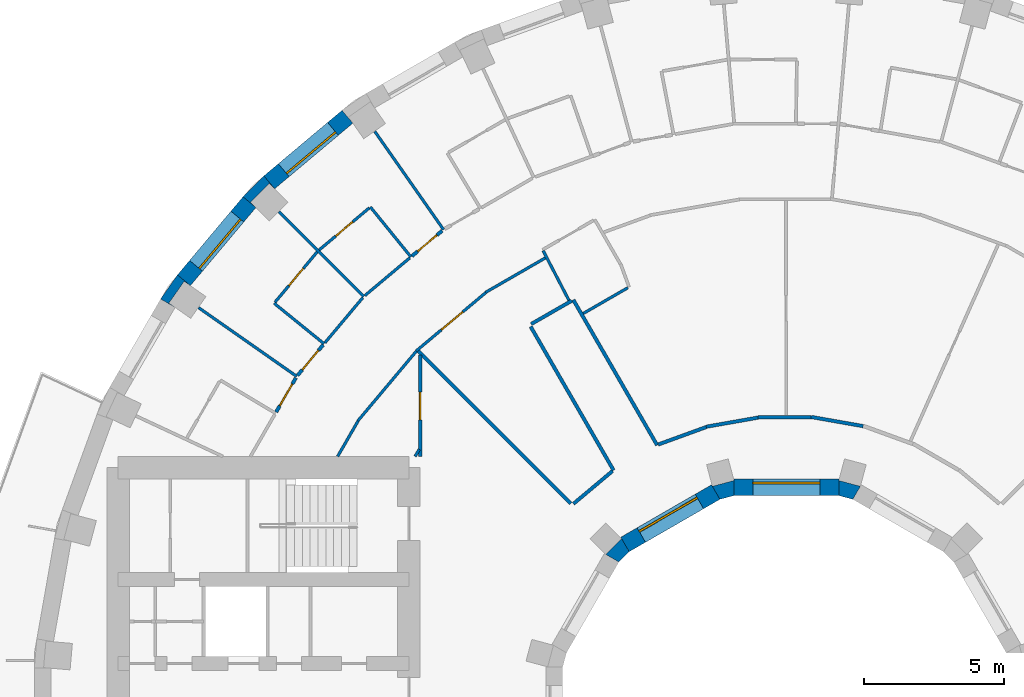
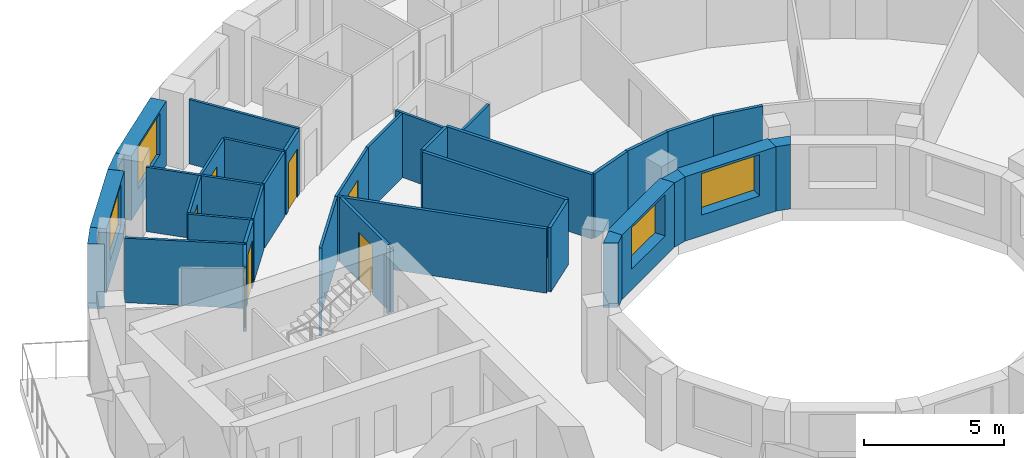
# One storey, part 8 of 12: 38 walls, 7 doors, 4 windows, 11 openings.
"""IFC4 building model written with IfcOpenShell, lengths in metres."""

from ifc_helpers import new_model, si_unit, direction, frame, frame_2d, origin, place, context, subcontext, project, spatial, polyline, rectangle, outline, extrude, material, layer, layer_set, type_object, element, fill, save


model = new_model("IFC4")

# Units and contexts
model_context = context("Model", 3, precision=1e-05, world=origin(), true_north=direction((0.0, 1.0)))
body_context = subcontext(model_context, "Body", "Model", "MODEL_VIEW")
ifc_project = project(units=[si_unit("LENGTHUNIT", "METRE"), si_unit("AREAUNIT", "SQUARE_METRE"), si_unit("VOLUMEUNIT", "CUBIC_METRE"), si_unit("PLANEANGLEUNIT", "RADIAN"), si_unit("MASSUNIT", "GRAM", prefix="KILO")], contexts=[model_context])

# Site, building, storey
site_placement = place(None, origin())
site = spatial("IfcSite", under=ifc_project, at=site_placement, CompositionType="ELEMENT")
building_placement = place(site_placement, origin())
building = spatial("IfcBuilding", under=site, at=building_placement, Name="Saqina Gate Tower", CompositionType="ELEMENT")
storey_placement = place(building_placement, frame((0.0, 0.0, 111.699951171875)))
storey = spatial("IfcBuildingStorey", under=building, at=storey_placement, Name="L31", CompositionType="ELEMENT", Elevation=111.699951171875)

# Walls
ifc_material_1 = material(Name="Brick masonry (buff)", Category="masonry")
wall_type_1 = type_object("IfcWallType", Name="BRICK PIER COPING BUFF", PredefinedType="SOLIDWALL", material=ifc_material_1)
wall_1_placement = place(storey_placement, origin())
element("IfcWall", 1, at=wall_1_placement, inside=storey, type_object=wall_type_1, Name="Pier cap L31 column 14", PredefinedType="SOLIDWALL", context=body_context, shape_type="SweptSolid", body=[
    extrude(outline(polyline([(-18.686279296875, 19.43212890625), (-19.43212890625, 18.686279296875), (-18.972412109375, 18.30078125), (-19.16259765625, 18.49072265625), (-18.49072265625, 19.16259765625), (-18.30078125, 18.972412109375), (-18.686279296875, 19.43212890625)])), origin(), (0.0, 0.0, 1.0), 2.800048828125),
])
wall_2_placement = place(storey_placement, origin())
element("IfcWall", 2, at=wall_2_placement, inside=storey, type_object=wall_type_1, Name="Pier cap L31 column 15", PredefinedType="SOLIDWALL", context=body_context, shape_type="SweptSolid", body=[
    extrude(outline(polyline([(-22.3818359375, 15.0283203125), (-21.862060546875, 14.728271484375), (-22.08251953125, 14.88232421875), (-21.53759765625, 15.66064453125), (-21.317138671875, 15.50634765625), (-21.77685546875, 15.89208984375), (-22.3818359375, 15.0283203125)])), origin(), (0.0, 0.0, 1.0), 2.800048828125),
])

# Wall, opening, window
ifc_material_2 = material(Name="Brick masonry (buff)", Category="masonry")
ifc_layer_1 = layer(ifc_material_2, 0.60009765625)
ifc_layer_set_1 = layer_set([ifc_layer_1], Name="FW-BRICK-BUFF")
wall_type_2 = type_object("IfcWallType", Name="FW-BRICK-BUFF", PredefinedType="SOLIDWALL", material=ifc_layer_set_1)
wall_3_placement = place(storey_placement, frame((-15.69921875, 21.547119140625, 0.0), z_axis=(0.0, 0.0, 1.0), x_axis=(-0.766055462616, -0.642774476932, 0.0)))
wall_3 = element("IfcWall", 3, at=wall_3_placement, inside=storey, type_object=wall_type_2, Name="Facade wall L31 facet 13", PredefinedType="SOLIDWALL", context=body_context, shape_type="SweptSolid", body=[
    extrude(rectangle(XDim=3.647705078125, YDim=0.60009765625, at=frame_2d((1.82373046875, 0.0))), origin(), (0.0, 0.0, 1.0), 2.800048828125),
])
opening_1_placement = place(wall_3_placement, frame((0.673828125, 0.0, 0.89990234375)))
opening_1 = element("IfcOpeningElement", 4, at=opening_1_placement, cuts=wall_3, Name="Opening G09-W11", PredefinedType="OPENING", context=body_context, shape_type="SweptSolid", body=[
    extrude(rectangle(XDim=2.300048828125, YDim=1.800048828125, at=frame_2d((1.14990234375, 0.89990234375))), frame((0.0, 0.31201171875, 0.0), z_axis=(0.0, -1.0, 0.0), x_axis=(1.0, 0.0, 0.0)), (0.0, 0.0, 1.0), 0.6240234375),
])
ifc_material_3 = material(Name="Aluminium glazing", Category="aluminium")
window_type_1 = type_object("IfcWindowType", Name="WN-B", PartitioningType="SINGLE_PANEL", PredefinedType="WINDOW", material=ifc_material_3)
window_1_placement = place(opening_1_placement, origin())
window_1 = element("IfcWindow", 5, at=window_1_placement, inside=storey, type_object=window_type_1, Name="Window L31 facet 13", OverallHeight=1.800048828125, OverallWidth=2.300048828125, PartitioningType="SINGLE_PANEL", PredefinedType="WINDOW", context=body_context, shape_type="SweptSolid", body=[
    extrude(rectangle(XDim=2.300048828125, YDim=1.800048828125, at=frame_2d((1.14990234375, 0.89990234375))), frame((0.0, 0.179931640625, 0.0), z_axis=(0.0, -1.0, 0.0), x_axis=(1.0, 0.0, 0.0)), (0.0, 0.0, 1.0), 0.06005859375),
])
fill(opening_1, window_1)

wall_4_placement = place(storey_placement, frame((-19.202392578125, 18.49365234375, 0.0), z_axis=(0.0, 0.0, 1.0), x_axis=(-0.642774476932, -0.766055462616, 0.0)))
wall_4 = element("IfcWall", 6, at=wall_4_placement, inside=storey, type_object=wall_type_2, Name="Facade wall L31 facet 14", PredefinedType="SOLIDWALL", context=body_context, shape_type="SweptSolid", body=[
    extrude(rectangle(XDim=3.647705078125, YDim=0.60009765625, at=frame_2d((1.82373046875, 0.0))), origin(), (0.0, 0.0, 1.0), 2.800048828125),
])
opening_2_placement = place(wall_4_placement, frame((0.673828125, 0.0, 0.89990234375)))
opening_2 = element("IfcOpeningElement", 7, at=opening_2_placement, cuts=wall_4, Name="Opening G09-W12", PredefinedType="OPENING", context=body_context, shape_type="SweptSolid", body=[
    extrude(rectangle(XDim=2.300048828125, YDim=1.800048828125, at=frame_2d((1.14990234375, 0.89990234375))), frame((0.0, 0.31201171875, 0.0), z_axis=(0.0, -1.0, 0.0), x_axis=(1.0, 0.0, 0.0)), (0.0, 0.0, 1.0), 0.6240234375),
])
window_2_placement = place(opening_2_placement, origin())
window_2 = element("IfcWindow", 8, at=window_2_placement, inside=storey, type_object=window_type_1, Name="Window L31 facet 14", OverallHeight=1.800048828125, OverallWidth=2.300048828125, PartitioningType="SINGLE_PANEL", PredefinedType="WINDOW", context=body_context, shape_type="SweptSolid", body=[
    extrude(rectangle(XDim=2.300048828125, YDim=1.800048828125, at=frame_2d((1.14990234375, 0.89990234375))), frame((0.0, 0.179931640625, 0.0), z_axis=(0.0, -1.0, 0.0), x_axis=(1.0, 0.0, 0.0)), (0.0, 0.0, 1.0), 0.06005859375),
])
fill(opening_2, window_2)

ifc_material_4 = material(Name="Glazed ceramic tile", Category="ceramic")
ifc_layer_2 = layer(ifc_material_4, 0.60009765625)
ifc_layer_set_2 = layer_set([ifc_layer_2], Name="IW-TILE")
wall_type_3 = type_object("IfcWallType", Name="IW-TILE", PredefinedType="SOLIDWALL", material=ifc_layer_set_2)
wall_5_placement = place(storey_placement, frame((1.873779296875, 8.300048828125, 0.0), z_axis=(0.0, 0.0, 1.0), x_axis=(-1.0, 0.0, 0.0)))
wall_5 = element("IfcWall", 9, at=wall_5_placement, inside=storey, type_object=wall_type_3, Name="Well wall L31 facet 3", PredefinedType="SOLIDWALL", context=body_context, shape_type="SweptSolid", body=[
    extrude(rectangle(XDim=3.74755859375, YDim=0.60009765625, at=frame_2d((1.873779296875, 0.0))), origin(), (0.0, 0.0, 1.0), 2.800048828125),
])
opening_3_placement = place(wall_5_placement, frame((0.673583984375, 0.0, 0.89990234375)))
opening_3 = element("IfcOpeningElement", 10, at=opening_3_placement, cuts=wall_5, Name="Opening G09-W28", PredefinedType="OPENING", context=body_context, shape_type="SweptSolid", body=[
    extrude(rectangle(XDim=2.39990234375, YDim=1.800048828125, at=frame_2d((1.199951171875, 0.89990234375))), frame((0.0, 0.31201171875, 0.0), z_axis=(0.0, -1.0, 0.0), x_axis=(1.0, 0.0, 0.0)), (0.0, 0.0, 1.0), 0.6240234375),
])
ifc_material_5 = material(Name="Aluminium glazing", Category="aluminium")
window_type_2 = type_object("IfcWindowType", Name="WN-W", PartitioningType="SINGLE_PANEL", PredefinedType="WINDOW", material=ifc_material_5)
window_3_placement = place(opening_3_placement, origin())
window_3 = element("IfcWindow", 11, at=window_3_placement, inside=storey, type_object=window_type_2, Name="Well window L31 facet 3", OverallHeight=1.800048828125, OverallWidth=2.39990234375, PartitioningType="SINGLE_PANEL", PredefinedType="WINDOW", context=body_context, shape_type="SweptSolid", body=[
    extrude(rectangle(XDim=2.39990234375, YDim=1.800048828125, at=frame_2d((1.199951171875, 0.89990234375))), frame((0.0, -0.119873046875, 0.0), z_axis=(0.0, -1.0, 0.0), x_axis=(1.0, 0.0, 0.0)), (0.0, 0.0, 1.0), 0.06005859375),
])
fill(opening_3, window_3)

wall_6_placement = place(storey_placement, frame((-2.52734375, 8.124755859375, 0.0), z_axis=(0.0, 0.0, 1.0), x_axis=(-0.86604563398, -0.499964958637, 0.0)))
wall_6 = element("IfcWall", 12, at=wall_6_placement, inside=storey, type_object=wall_type_3, Name="Well wall L31 facet 4", PredefinedType="SOLIDWALL", context=body_context, shape_type="SweptSolid", body=[
    extrude(rectangle(XDim=3.747314453125, YDim=0.60009765625, at=frame_2d((1.87353515625, 0.0))), origin(), (0.0, 0.0, 1.0), 2.800048828125),
])
opening_4_placement = place(wall_6_placement, frame((0.673583984375, 0.0, 0.89990234375)))
opening_4 = element("IfcOpeningElement", 13, at=opening_4_placement, cuts=wall_6, Name="Opening G09-W29", PredefinedType="OPENING", context=body_context, shape_type="SweptSolid", body=[
    extrude(rectangle(XDim=2.39990234375, YDim=1.800048828125, at=frame_2d((1.199951171875, 0.89990234375))), frame((0.0, 0.31201171875, 0.0), z_axis=(0.0, -1.0, 0.0), x_axis=(1.0, 0.0, 0.0)), (0.0, 0.0, 1.0), 0.6240234375),
])
window_4_placement = place(opening_4_placement, origin())
window_4 = element("IfcWindow", 14, at=window_4_placement, inside=storey, type_object=window_type_2, Name="Well window L31 facet 4", OverallHeight=1.800048828125, OverallWidth=2.39990234375, PartitioningType="SINGLE_PANEL", PredefinedType="WINDOW", context=body_context, shape_type="SweptSolid", body=[
    extrude(rectangle(XDim=2.39990234375, YDim=1.800048828125, at=frame_2d((1.199951171875, 0.89990234375))), frame((0.0, -0.119873046875, 0.0), z_axis=(0.0, -1.0, 0.0), x_axis=(1.0, 0.0, 0.0)), (0.0, 0.0, 1.0), 0.06005859375),
])
fill(opening_4, window_4)

# Walls
ifc_material_6 = material(Name="Gypsum board on steel studs, 100 mm", Category="steel")
ifc_layer_3 = layer(ifc_material_6, 0.10009765625)
ifc_layer_set_3 = layer_set([ifc_layer_3], Name="PARTITION 100")
wall_type_4 = type_object("IfcWallType", Name="PARTITION 100", PredefinedType="PARTITIONING", material=ifc_layer_set_3)
wall_7_placement = place(storey_placement, frame((-8.69873046875, 16.755859375, 0.0), z_axis=(0.0, 0.0, 1.0), x_axis=(0.461029785453, -0.887384661195, 0.0)))
element("IfcWall", 15, at=wall_7_placement, inside=storey, type_object=wall_type_4, Name="PARTITION PW3-10", PredefinedType="PARTITIONING", context=body_context, shape_type="SweptSolid", body=[
    extrude(rectangle(XDim=1.99951171875, YDim=0.10009765625, at=frame_2d((0.999755859375, 0.0))), origin(), (0.0, 0.0, 1.0), 2.800048828125),
])
wall_8_placement = place(storey_placement, frame((-14.720703125, 21.023681640625, 0.0), z_axis=(0.0, 0.0, 1.0), x_axis=(0.573546429028, -0.819173054824, 0.0)))
element("IfcWall", 16, at=wall_8_placement, inside=storey, type_object=wall_type_4, Name="PARTITION PW3-16", PredefinedType="PARTITIONING", context=body_context, shape_type="SweptSolid", body=[
    extrude(rectangle(XDim=4.286865234375, YDim=0.10009765625, at=frame_2d((2.1435546875, 0.0))), origin(), (0.0, 0.0, 1.0), 2.800048828125),
])
wall_9_placement = place(storey_placement, frame((-14.8779296875, 18.320068359375, 0.0), z_axis=(0.0, 0.0, 1.0), x_axis=(0.630256971768, -0.776386597989, 0.0)))
element("IfcWall", 17, at=wall_9_placement, inside=storey, type_object=wall_type_4, Name="PARTITION PW3-18", PredefinedType="PARTITIONING", context=body_context, shape_type="SweptSolid", body=[
    extrude(rectangle(XDim=2.300537109375, YDim=0.10009765625, at=frame_2d((1.150390625, 0.0))), origin(), (0.0, 0.0, 1.0), 2.800048828125),
])
wall_10_placement = place(storey_placement, frame((-18.14794921875, 18.14794921875, 0.0), z_axis=(0.0, 0.0, 1.0), x_axis=(0.707106781187, -0.707106781187, 0.0)))
element("IfcWall", 18, at=wall_10_placement, inside=storey, type_object=wall_type_4, Name="PARTITION PW3-23", PredefinedType="PARTITIONING", context=body_context, shape_type="SweptSolid", body=[
    extrude(rectangle(XDim=4.286376953125, YDim=0.10009765625, at=frame_2d((2.14306640625, 0.0))), origin(), (0.0, 0.0, 1.0), 2.800048828125),
])
wall_11_placement = place(storey_placement, frame((-18.320068359375, 14.8779296875, 0.0), z_axis=(0.0, 0.0, 1.0), x_axis=(0.776386597989, -0.630256971768, 0.0)))
element("IfcWall", 19, at=wall_11_placement, inside=storey, type_object=wall_type_4, Name="PARTITION PW3-28", PredefinedType="PARTITIONING", context=body_context, shape_type="SweptSolid", body=[
    extrude(rectangle(XDim=2.300537109375, YDim=0.10009765625, at=frame_2d((1.150390625, 0.0))), origin(), (0.0, 0.0, 1.0), 2.800048828125),
])
wall_12_placement = place(storey_placement, frame((-21.023681640625, 14.720703125, 0.0), z_axis=(0.0, 0.0, 1.0), x_axis=(0.819173054824, -0.573546429028, 0.0)))
element("IfcWall", 20, at=wall_12_placement, inside=storey, type_object=wall_type_4, Name="PARTITION PW3-29", PredefinedType="PARTITIONING", context=body_context, shape_type="SweptSolid", body=[
    extrude(rectangle(XDim=4.286865234375, YDim=0.10009765625, at=frame_2d((2.1435546875, 0.0))), origin(), (0.0, 0.0, 1.0), 2.800048828125),
])
wall_13_placement = place(storey_placement, frame((-7.2666015625, 14.510498046875, 0.0), z_axis=(0.0, 0.0, 1.0), x_axis=(0.865945322787, 0.500138678712, 0.0)))
element("IfcWall", 21, at=wall_13_placement, inside=storey, type_object=wall_type_4, Name="PARTITION PW3-67", PredefinedType="PARTITIONING", context=body_context, shape_type="SweptSolid", body=[
    extrude(rectangle(XDim=1.8447265625, YDim=0.10009765625, at=frame_2d((0.92236328125, 0.0))), origin(), (0.0, 0.0, 1.0), 2.800048828125),
])
wall_14_placement = place(storey_placement, frame((-10.7529296875, 15.2685546875, 0.0), z_axis=(0.0, 0.0, 1.0), x_axis=(0.866079862983, 0.499905662036, 0.0)))
element("IfcWall", 22, at=wall_14_placement, inside=storey, type_object=wall_type_4, Name="PARTITION PW3-68", PredefinedType="PARTITIONING", context=body_context, shape_type="SweptSolid", body=[
    extrude(rectangle(XDim=2.4609375, YDim=0.10009765625, at=frame_2d((1.23046875, 0.0))), origin(), (0.0, 0.0, 1.0), 2.800048828125),
])

# Wall, opening, door
wall_15_placement = place(storey_placement, frame((-13.240966796875, 13.16943359375, 0.0), z_axis=(0.0, 0.0, 1.0), x_axis=(0.766028328168, 0.642806814248, 0.0)))
wall_15 = element("IfcWall", 23, at=wall_15_placement, inside=storey, type_object=wall_type_4, Name="PARTITION PW3-74", PredefinedType="PARTITIONING", context=body_context, shape_type="SweptSolid", body=[
    extrude(rectangle(XDim=3.25537109375, YDim=0.10009765625, at=frame_2d((1.627685546875, 0.0))), origin(), (0.0, 0.0, 1.0), 2.800048828125),
])
opening_5_placement = place(wall_15_placement, frame((1.177978515625, 0.0, 0.0)))
opening_5 = element("IfcOpeningElement", 24, at=opening_5_placement, cuts=wall_15, Name="Opening G09-D22", PredefinedType="OPENING", context=body_context, shape_type="SweptSolid", body=[
    extrude(rectangle(XDim=1.0, YDim=2.10009765625, at=frame_2d((0.5, 1.050048828125))), frame((0.0, 0.06201171875, 0.0), z_axis=(0.0, -1.0, 0.0), x_axis=(1.0, 0.0, 0.0)), (0.0, 0.0, 1.0), 0.1240234375),
])
ifc_material_7 = material(Name="Timber door leaf, 1000 mm", Category="wood")
door_type_1 = type_object("IfcDoorType", Name="DOOR 1000 TIMBER", OperationType="SINGLE_SWING_LEFT", PredefinedType="DOOR", material=ifc_material_7)
door_1_placement = place(opening_5_placement, origin())
door_1 = element("IfcDoor", 25, at=door_1_placement, inside=storey, type_object=door_type_1, Name="DOOR G09-D22", OperationType="SINGLE_SWING_RIGHT", OverallHeight=2.10009765625, OverallWidth=1.0, PredefinedType="DOOR", context=body_context, shape_type="SweptSolid", body=[
    extrude(rectangle(XDim=1.0, YDim=2.10009765625, at=frame_2d((0.5, 1.050048828125))), frame((0.0, 0.02490234375, 0.0), z_axis=(0.0, -1.0, 0.0), x_axis=(1.0, 0.0, 0.0)), (0.0, 0.0, 1.0), 0.050048828125),
])
fill(opening_5, door_1)

# Wall
wall_16_placement = place(storey_placement, frame((-15.07763671875, 15.14990234375, 0.0), z_axis=(0.0, 0.0, 1.0), x_axis=(0.766047733122, 0.642783688793, 0.0)))
element("IfcWall", 26, at=wall_16_placement, inside=storey, type_object=wall_type_4, Name="PARTITION PW3-75", PredefinedType="PARTITIONING", context=body_context, shape_type="SweptSolid", body=[
    extrude(rectangle(XDim=2.103515625, YDim=0.10009765625, at=frame_2d((1.0517578125, 0.0))), origin(), (0.0, 0.0, 1.0), 2.800048828125),
])

# Wall, opening, door
wall_17_placement = place(storey_placement, frame((-16.711669921875, 16.7822265625, 0.0), z_axis=(0.0, 0.0, 1.0), x_axis=(0.766236222747, 0.642558986359, 0.0)))
wall_17 = element("IfcWall", 27, at=wall_17_placement, inside=storey, type_object=wall_type_4, Name="PARTITION PW3-76", PredefinedType="PARTITIONING", context=body_context, shape_type="SweptSolid", body=[
    extrude(rectangle(XDim=2.34326171875, YDim=0.10009765625, at=frame_2d((1.171630859375, 0.0))), origin(), (0.0, 0.0, 1.0), 2.800048828125),
])
opening_6_placement = place(wall_17_placement, frame((0.771484375, 0.0, 0.0)))
opening_6 = element("IfcOpeningElement", 28, at=opening_6_placement, cuts=wall_17, Name="Opening G09-D23", PredefinedType="OPENING", context=body_context, shape_type="SweptSolid", body=[
    extrude(rectangle(XDim=0.800048828125, YDim=2.10009765625, at=frame_2d((0.39990234375, 1.050048828125))), frame((0.0, 0.06201171875, 0.0), z_axis=(0.0, -1.0, 0.0), x_axis=(1.0, 0.0, 0.0)), (0.0, 0.0, 1.0), 0.1240234375),
])
ifc_material_8 = material(Name="Timber door leaf, 800 mm", Category="wood")
door_type_2 = type_object("IfcDoorType", Name="DOOR 800 TIMBER", OperationType="SINGLE_SWING_LEFT", PredefinedType="DOOR", material=ifc_material_8)
door_2_placement = place(opening_6_placement, origin())
door_2 = element("IfcDoor", 29, at=door_2_placement, inside=storey, type_object=door_type_2, Name="DOOR G09-D23", OperationType="SINGLE_SWING_LEFT", OverallHeight=2.10009765625, OverallWidth=0.800048828125, PredefinedType="DOOR", context=body_context, shape_type="SweptSolid", body=[
    extrude(rectangle(XDim=0.800048828125, YDim=2.10009765625, at=frame_2d((0.39990234375, 1.050048828125))), frame((0.0, 0.02490234375, 0.0), z_axis=(0.0, -1.0, 0.0), x_axis=(1.0, 0.0, 0.0)), (0.0, 0.0, 1.0), 0.050048828125),
])
fill(opening_6, door_2)

# Walls
wall_18_placement = place(storey_placement, frame((-15.32666015625, 10.670166015625, 0.0), z_axis=(0.0, 0.0, 1.0), x_axis=(0.642806814248, 0.766028328168, 0.0)))
element("IfcWall", 30, at=wall_18_placement, inside=storey, type_object=wall_type_4, Name="PARTITION PW3-80", PredefinedType="PARTITIONING", context=body_context, shape_type="SweptSolid", body=[
    extrude(rectangle(XDim=3.25537109375, YDim=0.10009765625, at=frame_2d((1.627685546875, 0.0))), origin(), (0.0, 0.0, 1.0), 2.800048828125),
])
wall_19_placement = place(storey_placement, frame((-16.501953125, 13.46630859375, 0.0), z_axis=(0.0, 0.0, 1.0), x_axis=(0.642783688793, 0.766047733122, 0.0)))
element("IfcWall", 31, at=wall_19_placement, inside=storey, type_object=wall_type_4, Name="PARTITION PW3-81", PredefinedType="PARTITIONING", context=body_context, shape_type="SweptSolid", body=[
    extrude(rectangle(XDim=2.103515625, YDim=0.10009765625, at=frame_2d((1.0517578125, 0.0))), origin(), (0.0, 0.0, 1.0), 2.800048828125),
])

# Wall, opening, door
wall_20_placement = place(storey_placement, frame((-18.287841796875, 14.916259765625, 0.0), z_axis=(0.0, 0.0, 1.0), x_axis=(0.642558986359, 0.766236222747, 0.0)))
wall_20 = element("IfcWall", 32, at=wall_20_placement, inside=storey, type_object=wall_type_4, Name="PARTITION PW3-82", PredefinedType="PARTITIONING", context=body_context, shape_type="SweptSolid", body=[
    extrude(rectangle(XDim=2.34326171875, YDim=0.10009765625, at=frame_2d((1.171630859375, 0.0))), origin(), (0.0, 0.0, 1.0), 2.800048828125),
])
opening_7_placement = place(wall_20_placement, frame((0.771484375, 0.0, 0.0)))
opening_7 = element("IfcOpeningElement", 33, at=opening_7_placement, cuts=wall_20, Name="Opening G09-D24", PredefinedType="OPENING", context=body_context, shape_type="SweptSolid", body=[
    extrude(rectangle(XDim=0.800048828125, YDim=2.10009765625, at=frame_2d((0.39990234375, 1.050048828125))), frame((0.0, 0.06201171875, 0.0), z_axis=(0.0, -1.0, 0.0), x_axis=(1.0, 0.0, 0.0)), (0.0, 0.0, 1.0), 0.1240234375),
])
door_3_placement = place(opening_7_placement, origin())
door_3 = element("IfcDoor", 34, at=door_3_placement, inside=storey, type_object=door_type_2, Name="DOOR G09-D24", OperationType="SINGLE_SWING_LEFT", OverallHeight=2.10009765625, OverallWidth=0.800048828125, PredefinedType="DOOR", context=body_context, shape_type="SweptSolid", body=[
    extrude(rectangle(XDim=0.800048828125, YDim=2.10009765625, at=frame_2d((0.39990234375, 1.050048828125))), frame((0.0, 0.02490234375, 0.0), z_axis=(0.0, -1.0, 0.0), x_axis=(1.0, 0.0, 0.0)), (0.0, 0.0, 1.0), 0.050048828125),
])
fill(opening_7, door_3)

# Walls
wall_21_placement = place(storey_placement, frame((-16.049072265625, 9.39990234375, 0.0), z_axis=(0.0, 0.0, 1.0), x_axis=(0.499553700297, 0.866282921752, 0.0)))
element("IfcWall", 35, at=wall_21_placement, inside=storey, type_object=wall_type_4, Name="PARTITION PW3-88", PredefinedType="PARTITIONING", context=body_context, shape_type="SweptSolid", body=[
    extrude(rectangle(XDim=1.461181640625, YDim=0.10009765625, at=frame_2d((0.73046875, 0.0))), origin(), (0.0, 0.0, 1.0), 2.800048828125),
])
wall_22_placement = place(storey_placement, frame((-13.278076171875, 9.40087890625, 0.0), z_axis=(0.0, 0.0, 1.0), x_axis=(0.49953088146, 0.866296080141, 0.0)))
element("IfcWall", 36, at=wall_22_placement, inside=storey, type_object=wall_type_4, Name="PARTITION PW3-91", PredefinedType="PARTITIONING", context=body_context, shape_type="SweptSolid", body=[
    extrude(rectangle(XDim=0.294189453125, YDim=0.10009765625, at=frame_2d((0.14697265625, 0.0))), origin(), (0.0, 0.0, 1.0), 2.800048828125),
])
ifc_material_9 = material(Name="Gypsum board on steel studs, 125 mm, fire rated", Category="steel")
ifc_layer_4 = layer(ifc_material_9, 0.125)
ifc_layer_set_4 = layer_set([ifc_layer_4], Name="PARTITION EI 30 125")
wall_type_5 = type_object("IfcWallType", Name="PARTITION EI 30 125", PredefinedType="PARTITIONING", material=ifc_layer_set_4)
wall_23_placement = place(storey_placement, frame((-9.146728515625, 14.043212890625, 0.0), z_axis=(0.0, 0.0, 1.0), x_axis=(0.499891007886, -0.866088321267, 0.0)))
element("IfcWall", 37, at=wall_23_placement, inside=storey, type_object=wall_type_5, Name="PARTITION PW1-01", PredefinedType="PARTITIONING", context=body_context, shape_type="SweptSolid", body=[
    extrude(rectangle(XDim=5.934814453125, YDim=0.125, at=frame_2d((2.96728515625, 0.0))), origin(), (0.0, 0.0, 1.0), 2.800048828125),
])
wall_24_placement = place(storey_placement, frame((-7.62109375, 14.9990234375, 0.0), z_axis=(0.0, 0.0, 1.0), x_axis=(0.499745940409, -0.866172035478, 0.0)))
element("IfcWall", 38, at=wall_24_placement, inside=storey, type_object=wall_type_5, Name="PARTITION PW1-02", PredefinedType="PARTITIONING", context=body_context, shape_type="SweptSolid", body=[
    extrude(rectangle(XDim=5.9990234375, YDim=0.125, at=frame_2d((2.99951171875, 0.0))), origin(), (0.0, 0.0, 1.0), 2.800048828125),
])
wall_25_placement = place(storey_placement, frame((-13.16650390625, 13.16650390625, 0.0), z_axis=(0.0, 0.0, 1.0), x_axis=(0.707106781187, -0.707106781187, 0.0)))
element("IfcWall", 39, at=wall_25_placement, inside=storey, type_object=wall_type_5, Name="PARTITION PW1-06", PredefinedType="PARTITIONING", context=body_context, shape_type="SweptSolid", body=[
    extrude(rectangle(XDim=7.71630859375, YDim=0.125, at=frame_2d((3.858154296875, 0.0))), origin(), (0.0, 0.0, 1.0), 2.800048828125),
])
wall_26_placement = place(storey_placement, frame((0.882568359375, 10.81103515625, 0.0), z_axis=(0.0, 0.0, 1.0), x_axis=(0.984822536066, -0.173564317922, 0.0)))
element("IfcWall", 40, at=wall_26_placement, inside=storey, type_object=wall_type_5, Name="PARTITION PW1-21", PredefinedType="PARTITIONING", context=body_context, shape_type="SweptSolid", body=[
    extrude(rectangle(XDim=1.890625, YDim=0.125, at=frame_2d((0.9453125, 0.0))), origin(), (0.0, 0.0, 1.0), 2.800048828125),
])
wall_27_placement = place(storey_placement, frame((-1.008544921875, 10.800048828125, 0.0), z_axis=(0.0, 0.0, 1.0), x_axis=(1.0, 0.0, 0.0)))
element("IfcWall", 41, at=wall_27_placement, inside=storey, type_object=wall_type_5, Name="PARTITION PW1-25", PredefinedType="PARTITIONING", context=body_context, shape_type="SweptSolid", body=[
    extrude(rectangle(XDim=1.89111328125, YDim=0.125, at=frame_2d((0.945556640625, 0.0))), origin(), (0.0, 0.0, 1.0), 2.800048828125),
])
wall_28_placement = place(storey_placement, frame((-2.8681640625, 10.4609375, 0.0), z_axis=(0.0, 0.0, 1.0), x_axis=(0.984818645033, 0.173586394613, 0.0)))
element("IfcWall", 42, at=wall_28_placement, inside=storey, type_object=wall_type_5, Name="PARTITION PW1-30", PredefinedType="PARTITIONING", context=body_context, shape_type="SweptSolid", body=[
    extrude(rectangle(XDim=1.890380859375, YDim=0.125, at=frame_2d((0.9453125, 0.0))), origin(), (0.0, 0.0, 1.0), 2.800048828125),
])
wall_29_placement = place(storey_placement, frame((-4.58203125, 9.825927734375, 0.0), z_axis=(0.0, 0.0, 1.0), x_axis=(0.939758316357, 0.341839592261, 0.0)))
element("IfcWall", 43, at=wall_29_placement, inside=storey, type_object=wall_type_5, Name="PARTITION PW1-32", PredefinedType="PARTITIONING", context=body_context, shape_type="SweptSolid", body=[
    extrude(rectangle(XDim=1.82763671875, YDim=0.125, at=frame_2d((0.913818359375, 0.0))), origin(), (0.0, 0.0, 1.0), 2.800048828125),
])
wall_30_placement = place(storey_placement, frame((-9.126708984375, 14.133544921875, 0.0), z_axis=(0.0, 0.0, 1.0), x_axis=(0.866992941954, 0.498320417604, 0.0)))
element("IfcWall", 44, at=wall_30_placement, inside=storey, type_object=wall_type_5, Name="PARTITION PW1-34", PredefinedType="PARTITIONING", context=body_context, shape_type="SweptSolid", body=[
    extrude(rectangle(XDim=1.674072265625, YDim=0.125, at=frame_2d((0.8369140625, 0.0))), origin(), (0.0, 0.0, 1.0), 2.800048828125),
])
wall_31_placement = place(storey_placement, frame((-7.6171875, 7.7041015625, 0.0), z_axis=(0.0, 0.0, 1.0), x_axis=(0.7660388271, 0.642794302538, 0.0)))
element("IfcWall", 45, at=wall_31_placement, inside=storey, type_object=wall_type_5, Name="PARTITION PW1-40", PredefinedType="PARTITIONING", context=body_context, shape_type="SweptSolid", body=[
    extrude(rectangle(XDim=1.828369140625, YDim=0.125, at=frame_2d((0.9140625, 0.0))), origin(), (0.0, 0.0, 1.0), 2.800048828125),
])

# Wall, opening, door
wall_32_placement = place(storey_placement, frame((-13.3896484375, 16.566162109375, 0.0), z_axis=(0.0, 0.0, 1.0), x_axis=(0.766158527395, 0.642651624833, 0.0)))
wall_32 = element("IfcWall", 46, at=wall_32_placement, inside=storey, type_object=wall_type_5, Name="PARTITION PW1-41", PredefinedType="PARTITIONING", context=body_context, shape_type="SweptSolid", body=[
    extrude(rectangle(XDim=1.409423828125, YDim=0.125, at=frame_2d((0.70458984375, 0.0))), origin(), (0.0, 0.0, 1.0), 2.800048828125),
])
opening_8_placement = place(wall_32_placement, frame((0.260986328125, 0.0, 0.0)))
opening_8 = element("IfcOpeningElement", 47, at=opening_8_placement, cuts=wall_32, Name="Opening G09-D21", PredefinedType="OPENING", context=body_context, shape_type="SweptSolid", body=[
    extrude(rectangle(XDim=0.89990234375, YDim=2.10009765625, at=frame_2d((0.449951171875, 1.050048828125))), frame((0.0, 0.074462890625, 0.0), z_axis=(0.0, -1.0, 0.0), x_axis=(1.0, 0.0, 0.0)), (0.0, 0.0, 1.0), 0.14892578125),
])
ifc_material_10 = material(Name="Fire door leaf EI 30, 900 mm")
door_type_3 = type_object("IfcDoorType", Name="DOOR 900 EI 30", OperationType="SINGLE_SWING_LEFT", PredefinedType="DOOR", material=ifc_material_10)
door_4_placement = place(opening_8_placement, frame((0.89990234375, 0.0, 0.0), z_axis=(0.0, 0.0, 1.0), x_axis=(-1.0, 0.0, 0.0)))
door_4 = element("IfcDoor", 48, at=door_4_placement, inside=storey, type_object=door_type_3, Name="DOOR G09-D21", OperationType="SINGLE_SWING_LEFT", OverallHeight=2.10009765625, OverallWidth=0.89990234375, PredefinedType="DOOR", context=body_context, shape_type="SweptSolid", body=[
    extrude(rectangle(XDim=0.89990234375, YDim=2.10009765625, at=frame_2d((0.449951171875, 1.050048828125))), frame((0.0, 0.02490234375, 0.0), z_axis=(0.0, -1.0, 0.0), x_axis=(1.0, 0.0, 0.0)), (0.0, 0.0, 1.0), 0.050048828125),
])
fill(opening_8, door_4)

wall_33_placement = place(storey_placement, frame((-17.47998046875, 12.30029296875, 0.0), z_axis=(0.0, 0.0, 1.0), x_axis=(0.642680541645, 0.766134271124, 0.0)))
wall_33 = element("IfcWall", 49, at=wall_33_placement, inside=storey, type_object=wall_type_5, Name="PARTITION PW1-44", PredefinedType="PARTITIONING", context=body_context, shape_type="SweptSolid", body=[
    extrude(rectangle(XDim=1.421875, YDim=0.125, at=frame_2d((0.7109375, 0.0))), origin(), (0.0, 0.0, 1.0), 2.800048828125),
])
opening_9_placement = place(wall_33_placement, frame((0.260986328125, 0.0, 0.0)))
opening_9 = element("IfcOpeningElement", 50, at=opening_9_placement, cuts=wall_33, Name="Opening G09-D26", PredefinedType="OPENING", context=body_context, shape_type="SweptSolid", body=[
    extrude(rectangle(XDim=0.89990234375, YDim=2.10009765625, at=frame_2d((0.449951171875, 1.050048828125))), frame((0.0, 0.074462890625, 0.0), z_axis=(0.0, -1.0, 0.0), x_axis=(1.0, 0.0, 0.0)), (0.0, 0.0, 1.0), 0.14892578125),
])
door_5_placement = place(opening_9_placement, frame((0.89990234375, 0.0, 0.0), z_axis=(0.0, 0.0, 1.0), x_axis=(-1.0, 0.0, 0.0)))
door_5 = element("IfcDoor", 51, at=door_5_placement, inside=storey, type_object=door_type_3, Name="DOOR G09-D26", OperationType="SINGLE_SWING_RIGHT", OverallHeight=2.10009765625, OverallWidth=0.89990234375, PredefinedType="DOOR", context=body_context, shape_type="SweptSolid", body=[
    extrude(rectangle(XDim=0.89990234375, YDim=2.10009765625, at=frame_2d((0.449951171875, 1.050048828125))), frame((0.0, 0.02490234375, 0.0), z_axis=(0.0, -1.0, 0.0), x_axis=(1.0, 0.0, 0.0)), (0.0, 0.0, 1.0), 0.050048828125),
])
fill(opening_9, door_5)

wall_34_placement = place(storey_placement, frame((-18.248046875, 10.9873046875, 0.0), z_axis=(0.0, 0.0, 1.0), x_axis=(0.500107311056, 0.865963438852, 0.0)))
wall_34 = element("IfcWall", 52, at=wall_34_placement, inside=storey, type_object=wall_type_5, Name="PARTITION PW1-46", PredefinedType="PARTITIONING", context=body_context, shape_type="SweptSolid", body=[
    extrude(rectangle(XDim=1.409423828125, YDim=0.125, at=frame_2d((0.70458984375, 0.0))), origin(), (0.0, 0.0, 1.0), 2.800048828125),
])
opening_10_placement = place(wall_34_placement, frame((0.260986328125, 0.0, 0.0)))
opening_10 = element("IfcOpeningElement", 53, at=opening_10_placement, cuts=wall_34, Name="Opening G09-D27", PredefinedType="OPENING", context=body_context, shape_type="SweptSolid", body=[
    extrude(rectangle(XDim=0.89990234375, YDim=2.10009765625, at=frame_2d((0.449951171875, 1.050048828125))), frame((0.0, 0.074462890625, 0.0), z_axis=(0.0, -1.0, 0.0), x_axis=(1.0, 0.0, 0.0)), (0.0, 0.0, 1.0), 0.14892578125),
])
door_6_placement = place(opening_10_placement, frame((0.89990234375, 0.0, 0.0), z_axis=(0.0, 0.0, 1.0), x_axis=(-1.0, 0.0, 0.0)))
door_6 = element("IfcDoor", 54, at=door_6_placement, inside=storey, type_object=door_type_3, Name="DOOR G09-D27", OperationType="SINGLE_SWING_LEFT", OverallHeight=2.10009765625, OverallWidth=0.89990234375, PredefinedType="DOOR", context=body_context, shape_type="SweptSolid", body=[
    extrude(rectangle(XDim=0.89990234375, YDim=2.10009765625, at=frame_2d((0.449951171875, 1.050048828125))), frame((0.0, 0.02490234375, 0.0), z_axis=(0.0, -1.0, 0.0), x_axis=(1.0, 0.0, 0.0)), (0.0, 0.0, 1.0), 0.050048828125),
])
fill(opening_10, door_6)

wall_35_placement = place(storey_placement, frame((-13.10009765625, 9.39990234375, 0.0), z_axis=(0.0, 0.0, 1.0), x_axis=(0.0, 1.0, 0.0)))
wall_35 = element("IfcWall", 55, at=wall_35_placement, inside=storey, type_object=wall_type_5, Name="PARTITION PW1-52", PredefinedType="PARTITIONING", context=body_context, shape_type="SweptSolid", body=[
    extrude(rectangle(XDim=3.632568359375, YDim=0.125, at=frame_2d((1.81640625, 0.0))), origin(), (0.0, 0.0, 1.0), 2.800048828125),
])
opening_11_placement = place(wall_35_placement, frame((1.302490234375, 0.0, 0.0)))
opening_11 = element("IfcOpeningElement", 56, at=opening_11_placement, cuts=wall_35, Name="Opening G09-D25", PredefinedType="OPENING", context=body_context, shape_type="SweptSolid", body=[
    extrude(rectangle(XDim=1.0, YDim=2.10009765625, at=frame_2d((0.5, 1.050048828125))), frame((0.0, 0.074462890625, 0.0), z_axis=(0.0, -1.0, 0.0), x_axis=(1.0, 0.0, 0.0)), (0.0, 0.0, 1.0), 0.14892578125),
])
ifc_material_11 = material(Name="Fire door leaf EI 30, 1000 mm")
door_type_4 = type_object("IfcDoorType", Name="DOOR 1000 EI 30", OperationType="SINGLE_SWING_LEFT", PredefinedType="DOOR", material=ifc_material_11)
door_7_placement = place(opening_11_placement, origin())
door_7 = element("IfcDoor", 57, at=door_7_placement, inside=storey, type_object=door_type_4, Name="DOOR G09-D25", OperationType="SINGLE_SWING_RIGHT", OverallHeight=2.10009765625, OverallWidth=1.0, PredefinedType="DOOR", context=body_context, shape_type="SweptSolid", body=[
    extrude(rectangle(XDim=1.0, YDim=2.10009765625, at=frame_2d((0.5, 1.050048828125))), frame((0.0, 0.02490234375, 0.0), z_axis=(0.0, -1.0, 0.0), x_axis=(1.0, 0.0, 0.0)), (0.0, 0.0, 1.0), 0.050048828125),
])
fill(opening_11, door_7)

# Walls
ifc_material_12 = material(Name="Glazed ceramic tile", Category="ceramic")
wall_type_6 = type_object("IfcWallType", Name="TILE PIER COPING", PredefinedType="SOLIDWALL", material=ifc_material_12)
wall_36_placement = place(storey_placement, origin())
element("IfcWall", 58, at=wall_36_placement, inside=storey, type_object=wall_type_6, Name="Well pier cap L31 column 3", PredefinedType="SOLIDWALL", context=body_context, shape_type="SweptSolid", body=[
    extrude(outline(polyline([(1.873779296875, 8.5380859375), (1.873779296875, 8.0), (2.377197265625, 7.864990234375), (2.646484375, 8.3310546875), (1.873779296875, 8.5380859375)])), origin(), (0.0, 0.0, 1.0), 2.800048828125),
])
wall_37_placement = place(storey_placement, origin())
element("IfcWall", 59, at=wall_37_placement, inside=storey, type_object=wall_type_6, Name="Well pier cap L31 column 4", PredefinedType="SOLIDWALL", context=body_context, shape_type="SweptSolid", body=[
    extrude(outline(polyline([(-2.646484375, 8.3310546875), (-2.377197265625, 7.864990234375), (-1.873779296875, 8.0), (-1.873779296875, 8.5380859375), (-2.646484375, 8.3310546875)])), origin(), (0.0, 0.0, 1.0), 2.800048828125),
])
wall_38_placement = place(storey_placement, origin())
element("IfcWall", 60, at=wall_38_placement, inside=storey, type_object=wall_type_6, Name="Well pier cap L31 column 5", PredefinedType="SOLIDWALL", context=body_context, shape_type="SweptSolid", body=[
    extrude(outline(polyline([(-6.45751953125, 5.891845703125), (-5.991455078125, 5.622802734375), (-5.622802734375, 5.991455078125), (-5.891845703125, 6.45751953125), (-6.45751953125, 5.891845703125)])), origin(), (0.0, 0.0, 1.0), 2.800048828125),
])

save(model, "model.ifc")
